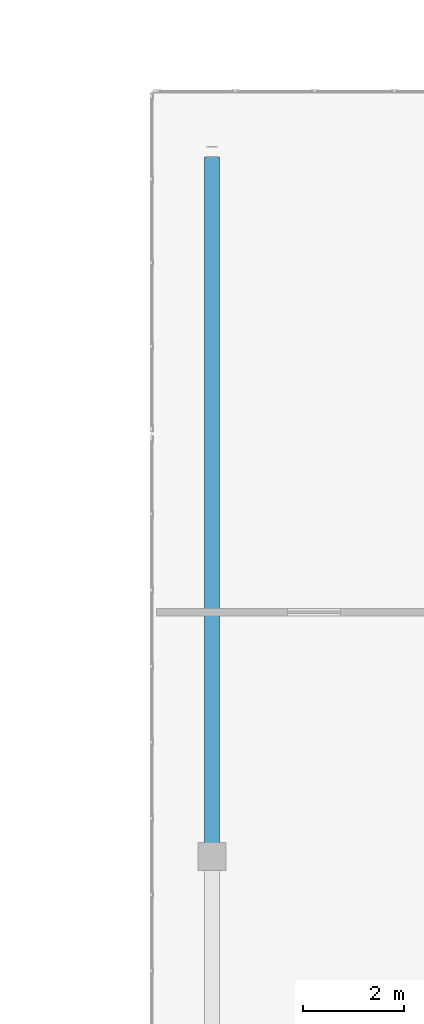
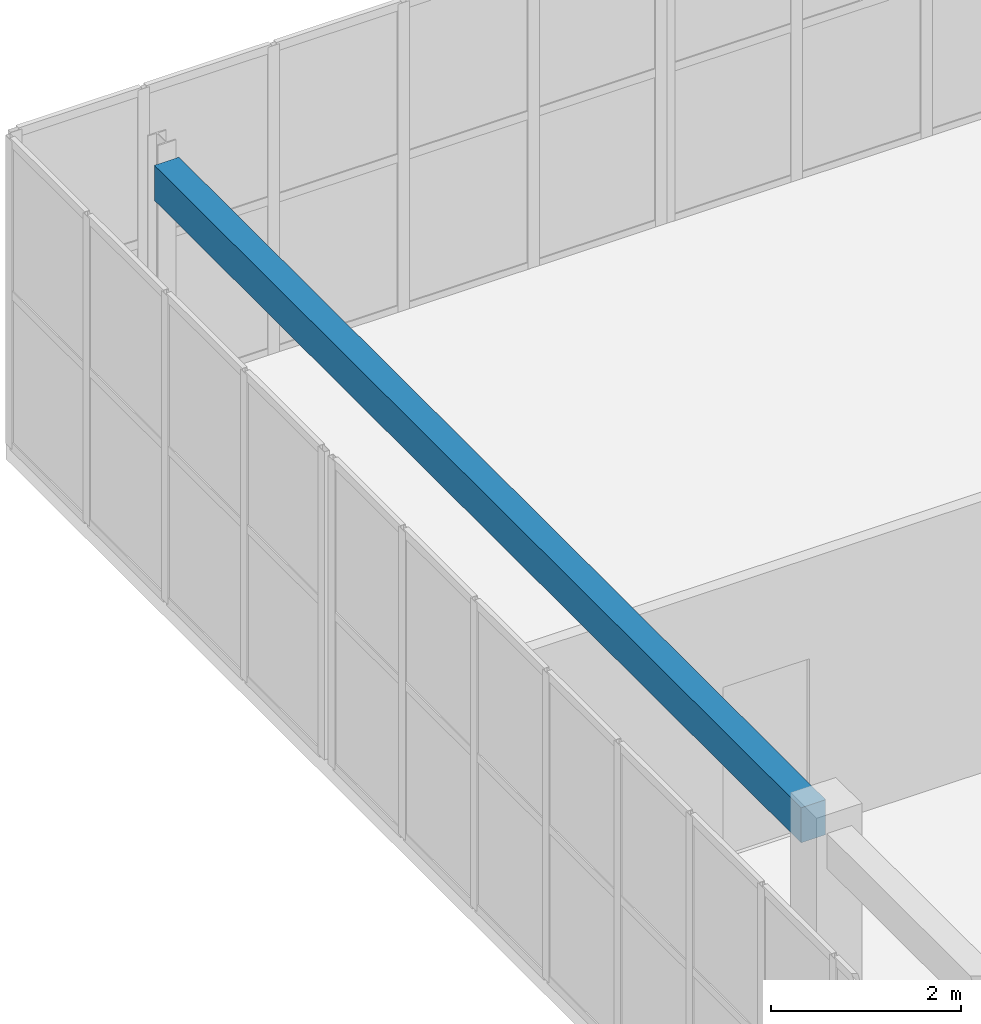
# One storey, part 35 of 81: 1 beam.
"""IFC4 building model written with IfcOpenShell, lengths in metres."""

import ifcopenshell
import ifcopenshell.guid

model = None  # the IFC model being written
_history = None  # IfcOwnerHistory: only IFC2X3 demands one
_inside = {}  # id of a spatial element -> (the spatial element, [elements in it])
_under = {}  # id of a project, library or spatial element -> (it, [spatial elements below it])
_declared = {}  # id of a project -> (the project, [libraries it declares])
_typed = {}  # id of a type object -> (the type object, [elements of that type])
_made_of = {}  # id of a material, layer set ... -> (it, [elements and type objects made of it])


def new_model(schema):
    """Start an empty IFC model of exactly this schema.

    Asked for "IFC4X3", IfcOpenShell would pick the latest addendum, in which some entities
    have other attributes; the version numbers below select the first issue.
    IFC2X3 requires an IfcOwnerHistory on every rooted entity: one is made here for all.
    """
    global model, _history
    if schema == "IFC4X3":
        model = ifcopenshell.file(schema_version=(4, 3, 0, 0))
    else:
        model = ifcopenshell.file(schema=schema)
    _inside.clear()
    _under.clear()
    _declared.clear()
    _typed.clear()
    _made_of.clear()
    _history = None
    if model.schema == "IFC2X3":
        org = make("IfcOrganization", Name="unknown")
        user = make(
            "IfcPersonAndOrganization",
            ThePerson=make("IfcPerson", FamilyName="unknown"),
            TheOrganization=org,
        )
        app = make(
            "IfcApplication",
            ApplicationDeveloper=org,
            Version="unknown",
            ApplicationFullName="unknown",
            ApplicationIdentifier="unknown",
        )
        _history = make(
            "IfcOwnerHistory",
            OwningUser=user,
            OwningApplication=app,
            ChangeAction="ADDED",
            CreationDate=0,
        )
    return model


def make(cls, **values):
    """One entity of the class cls with the attributes given. An attribute that is None is left unset."""
    return model.create_entity(
        cls, **{name: value for name, value in values.items() if value is not None}
    )


def rooted(cls, **values):
    """An entity with a GlobalId (a new one), such as an element, a storey or a relation."""
    return make(cls, GlobalId=ifcopenshell.guid.new(), OwnerHistory=_history, **values)


def si_unit(unit_type, name, prefix=None):
    """IfcSIUnit, for example si_unit("LENGTHUNIT", "METRE", prefix="MILLI")."""
    return make("IfcSIUnit", UnitType=unit_type, Prefix=prefix, Name=name)


def assignment(units):
    """IfcUnitAssignment: the units of a project."""
    return None if units is None else make("IfcUnitAssignment", Units=units)


def point(xyz):
    """IfcCartesianPoint."""
    return None if xyz is None else make("IfcCartesianPoint", Coordinates=xyz)


def direction(xyz):
    """IfcDirection."""
    return None if xyz is None else make("IfcDirection", DirectionRatios=xyz)


def frame(location, z_axis=None, x_axis=None):
    """IfcAxis2Placement3D, a coordinate frame: its origin and axes. An axis left out is left unset."""
    return make(
        "IfcAxis2Placement3D",
        Location=point(location),
        Axis=direction(z_axis),
        RefDirection=direction(x_axis),
    )


def frame_2d(location, x_axis=None):
    """IfcAxis2Placement2D, a coordinate frame in the plane: its origin and x axis."""
    return make(
        "IfcAxis2Placement2D", Location=point(location), RefDirection=direction(x_axis)
    )


def origin():
    """The frame at (0, 0, 0) with its axes left unset."""
    return frame((0.0, 0.0, 0.0))


def origin_2d():
    """The frame at (0, 0) in the plane with its x axis left unset."""
    return frame_2d((0.0, 0.0))


def place(relative_to, where):
    """IfcLocalPlacement: puts the frame where relative to a parent placement (None: the world)."""
    return make(
        "IfcLocalPlacement", PlacementRelTo=relative_to, RelativePlacement=where
    )


def context(
    kind, dimensions, precision=None, world=None, true_north=None, identifier=None
):
    """IfcGeometricRepresentationContext, for example the 3D "Model" context."""
    return make(
        "IfcGeometricRepresentationContext",
        ContextIdentifier=identifier,
        ContextType=kind,
        CoordinateSpaceDimension=dimensions,
        Precision=precision,
        WorldCoordinateSystem=world,
        TrueNorth=true_north,
    )


def subcontext(parent, identifier, kind, view, scale=None):
    """IfcGeometricRepresentationSubContext, for example "Body" below "Model"."""
    return make(
        "IfcGeometricRepresentationSubContext",
        ContextIdentifier=identifier,
        ContextType=kind,
        ParentContext=parent,
        TargetScale=scale,
        TargetView=view,
    )


def project(units=None, contexts=None):
    """IfcProject with its units and contexts."""
    return rooted(
        "IfcProject",
        Name="project",
        RepresentationContexts=contexts,
        UnitsInContext=assignment(units),
    )


def spatial(cls, under=None, at=None, **own):
    """A site, building, storey or space (cls), placed at a placement, below another one or the project."""
    s = rooted(cls, ObjectPlacement=at, **own)
    if under is not None:
        _under.setdefault(under.id(), (under, []))[1].append(s)
    return s


def profile(cls, at=None, kind="AREA", **sizes):
    """A parametric profile (cls). Its sizes go by their IFC names, for example OverallWidth=200.0."""
    return make(cls, ProfileType=kind, Position=at, **sizes)


def rectangle(**sizes):
    """IfcRectangleProfileDef."""
    return profile("IfcRectangleProfileDef", **sizes)


def extrude(swept, where, along, depth):
    """IfcExtrudedAreaSolid: the profile swept, set in the frame where, extruded along a direction by depth."""
    return make(
        "IfcExtrudedAreaSolid",
        SweptArea=swept,
        Position=where,
        ExtrudedDirection=direction(along),
        Depth=depth,
    )


def shape(context_of_items, identifier, shape_type, items):
    """IfcShapeRepresentation: the items that make up one representation, for example the "Body"."""
    return make(
        "IfcShapeRepresentation",
        ContextOfItems=context_of_items,
        RepresentationIdentifier=identifier,
        RepresentationType=shape_type,
        Items=items,
    )


def material(Name=None, Category=None):
    """IfcMaterial."""
    return make("IfcMaterial", Name=Name, Category=Category)


def material_profile(
    of_material, cross_section, Name=None, Category=None, Priority=None
):
    """IfcMaterialProfile: a cross section and its material."""
    return make(
        "IfcMaterialProfile",
        Name=Name,
        Material=of_material,
        Profile=cross_section,
        Priority=Priority,
        Category=Category,
    )


def profile_set(profiles, Name=None, composite=None):
    """IfcMaterialProfileSet."""
    return make(
        "IfcMaterialProfileSet",
        Name=Name,
        MaterialProfiles=profiles,
        CompositeProfile=composite,
    )


def made_of(thing, what):
    """Note that an element or type object is made of a material, layer set ...; save() writes the relation."""
    if what is not None:
        _made_of.setdefault(what.id(), (what, []))[1].append(thing)
    return thing


def type_object(cls, material=None, **own):
    """A type object (cls), such as IfcWallType, which elements share."""
    return made_of(rooted(cls, **own), material)


def element(
    cls,
    number,
    at=None,
    inside=None,
    cuts=None,
    type_object=None,
    material=None,
    context=None,
    identifier="Body",
    shape_type=None,
    held_by="IfcProductDefinitionShape",
    body=None,
    shapes=None,
    **own,
):
    """One element of the class cls, such as IfcWall. Its Tag is "e" and its number.

    at: its placement. inside: the storey or other place that contains it. cuts: it is an
    opening in that element (IfcRelVoidsElement). A single representation is given by context,
    identifier, shape_type and body (its items); several are given by shapes. held_by: the class
    of the entity that holds the representations. save() writes the other relations.
    """
    e = rooted(cls, Tag="e%d" % number, ObjectPlacement=at, **own)
    if body is not None:
        shapes = [shape(context, identifier, shape_type, body)]
    if shapes is not None:
        e.Representation = make(held_by, Representations=shapes)
    if inside is not None:
        _inside.setdefault(inside.id(), (inside, []))[1].append(e)
    if cuts is not None:
        rooted(
            "IfcRelVoidsElement", RelatingBuildingElement=cuts, RelatedOpeningElement=e
        )
    if type_object is not None:
        _typed.setdefault(type_object.id(), (type_object, []))[1].append(e)
    return made_of(e, material)


def aggregate(whole, parts):
    """IfcRelAggregates: a whole, such as a stair, and the parts it consists of."""
    return rooted("IfcRelAggregates", RelatingObject=whole, RelatedObjects=parts)


def save(model, path):
    """Write the relations noted so far, then the file.

    IfcRelAggregates (storeys below a building ...), IfcRelContainedInSpatialStructure (elements
    in a storey), IfcRelDefinesByType, IfcRelAssociatesMaterial and IfcRelDeclares: one each for
    every whole, place, type object, material and project.
    """
    for whole, parts in _under.values():
        aggregate(whole, parts)
    for where, things in _inside.values():
        rooted(
            "IfcRelContainedInSpatialStructure",
            RelatedElements=things,
            RelatingStructure=where,
        )
    for kind, things in _typed.values():
        rooted("IfcRelDefinesByType", RelatedObjects=things, RelatingType=kind)
    for what, things in _made_of.values():
        rooted("IfcRelAssociatesMaterial", RelatedObjects=things, RelatingMaterial=what)
    for by, libraries in _declared.values():
        rooted("IfcRelDeclares", RelatingContext=by, RelatedDefinitions=libraries)
    model.write(path)


model = new_model("IFC4")

# Units and contexts
model_context = context("Model", 3, precision=1e-05, world=origin(), true_north=direction((0.0, 1.0)))
body_context = subcontext(model_context, "Body", "Model", "MODEL_VIEW")
ifc_project = project(units=[si_unit("LENGTHUNIT", "METRE"), si_unit("AREAUNIT", "SQUARE_METRE"), si_unit("VOLUMEUNIT", "CUBIC_METRE"), si_unit("PLANEANGLEUNIT", "RADIAN"), si_unit("MASSUNIT", "GRAM", prefix="KILO")], contexts=[model_context])

# Site, building, storey
site_placement = place(None, origin())
site = spatial("IfcSite", under=ifc_project, at=site_placement, CompositionType="ELEMENT")
building_placement = place(site_placement, origin())
building = spatial("IfcBuilding", under=site, at=building_placement, Name="Trelvath General Hospital", CompositionType="ELEMENT")
storey_placement = place(building_placement, frame((0.0, 0.0, 24.60009765625)))
storey = spatial("IfcBuildingStorey", under=building, at=storey_placement, Name="L06", CompositionType="ELEMENT", Elevation=24.60009765625)

# Beam
ifc_material = material(Name="Concrete C35/45", Category="concrete")
ifc_material_profile = material_profile(ifc_material, rectangle(XDim=0.300048828125, YDim=0.449951171875, at=origin_2d()), Name="RCB300x450")
ifc_profile_set = profile_set([ifc_material_profile], Name="Concrete C35/45")
beam_type = type_object("IfcBeamType", Name="Beam RC300x450", PredefinedType="BEAM", material=ifc_profile_set)
beam_placement = place(storey_placement, frame((60.800048828125, 59.071044921875, 3.73486328125), z_axis=(0.0, 1.0, 0.0), x_axis=(-1.0, 0.0, 0.0)))
element("IfcBeam", 1, at=beam_placement, inside=storey, type_object=beam_type, Name="Cube Interior Ring Beam CUBE-W-T2 L06", PredefinedType="BEAM", context=body_context, shape_type="SweptSolid", body=[
    extrude(rectangle(XDim=0.300048828125, YDim=0.449951171875, at=origin_2d()), origin(), (0.0, 0.0, 1.0), 13.623046875),
])

save(model, "model.ifc")
